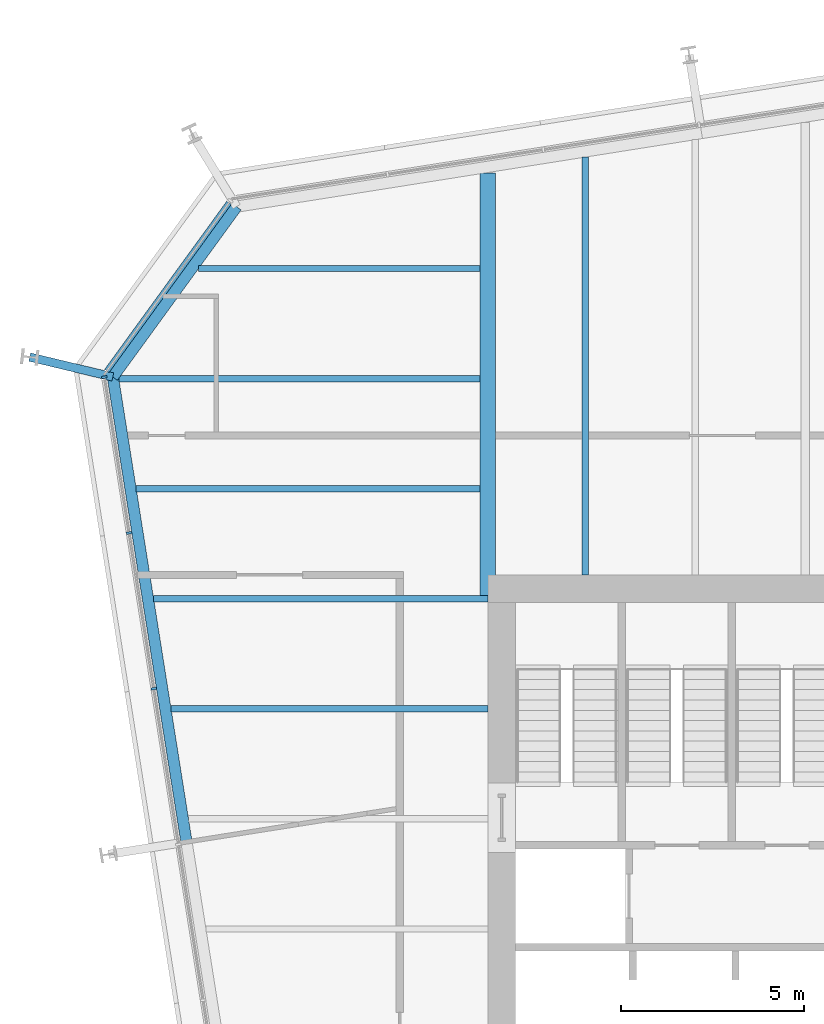
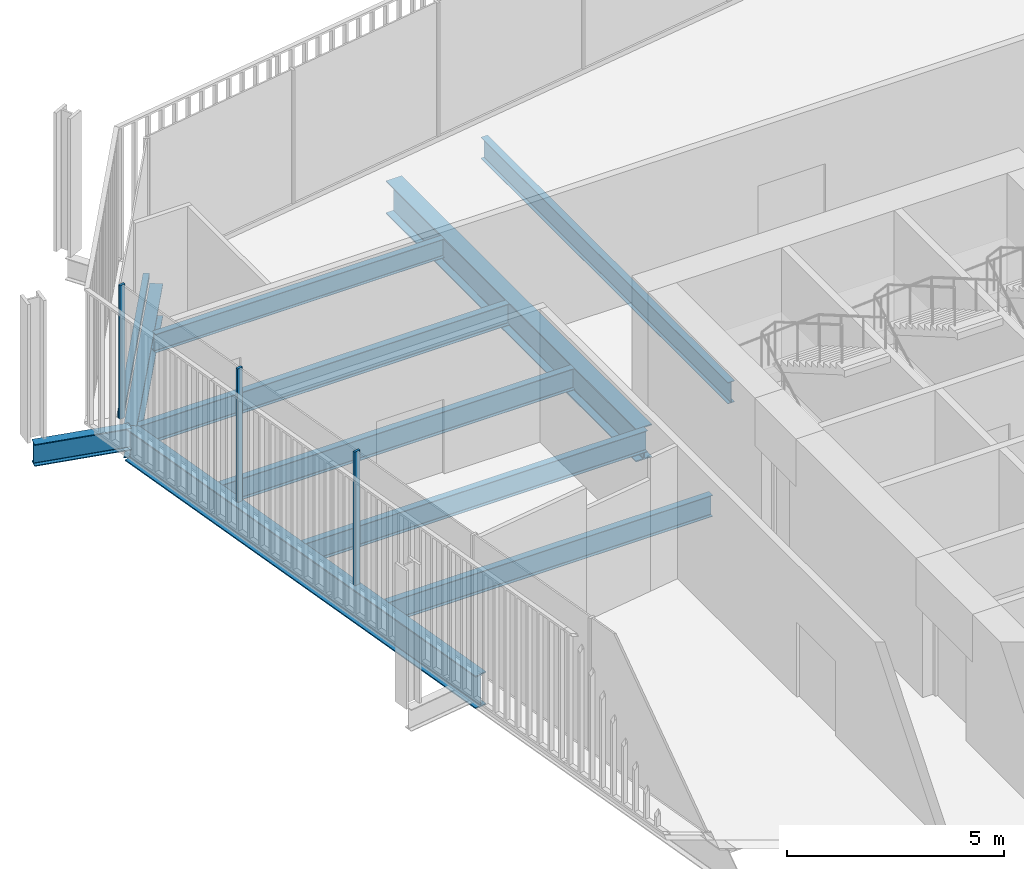
# One storey, part 10 of 21: 10 beams, 4 members, 2 elements without a shape of their own.
"""IFC4 building model written with IfcOpenShell, lengths in metres."""

from ifc_helpers import new_model, si_unit, direction, frame, origin, origin_2d, place, context, subcontext, project, spatial, rectangle, i_section, extrude, material, layer, layer_set, material_profile, profile_set, type_object, element, aggregate, save


model = new_model("IFC4")

# Units and contexts
model_context = context("Model", 3, precision=1e-05, world=origin(), true_north=direction((0.0, 1.0)))
body_context = subcontext(model_context, "Body", "Model", "MODEL_VIEW")
ifc_project = project(units=[si_unit("LENGTHUNIT", "METRE"), si_unit("AREAUNIT", "SQUARE_METRE"), si_unit("VOLUMEUNIT", "CUBIC_METRE"), si_unit("PLANEANGLEUNIT", "RADIAN"), si_unit("MASSUNIT", "GRAM", prefix="KILO")], contexts=[model_context])

# Site, building, storey
site_placement = place(None, origin())
site = spatial("IfcSite", under=ifc_project, at=site_placement, CompositionType="ELEMENT")
building_placement = place(site_placement, origin())
building = spatial("IfcBuilding", under=site, at=building_placement, Name="Millrace Tower", CompositionType="ELEMENT")
storey_placement = place(building_placement, frame((0.0, 0.0, 149.0)))
storey = spatial("IfcBuildingStorey", under=building, at=storey_placement, Name="L33", CompositionType="ELEMENT", Elevation=149.0)

# Curtain wall, members
ifc_material_1 = material(Name="Aluminium and glass", Category="aluminium")
ifc_layer = layer(ifc_material_1, 0.14990234375)
ifc_layer_set = layer_set([ifc_layer], Name="Aluminium and glass")
curtain_wall_type = type_object("IfcCurtainWallType", Name="CW-1 office vision curtain wall", PredefinedType="NOTDEFINED", material=ifc_layer_set)
placement = place(storey_placement, origin())
curtain_wall_1 = element("IfcCurtainWall", 1, at=placement, inside=storey, type_object=curtain_wall_type, Name="Curtain wall C-F08 L33", PredefinedType="NOTDEFINED")
ifc_material_2 = material(Name="Aluminium", Category="aluminium")
ifc_material_profile_1 = material_profile(ifc_material_2, rectangle(XDim=0.06494140625, YDim=0.14990234375, at=origin_2d()))
ifc_profile_set_1 = profile_set([ifc_material_profile_1], Name="Aluminium")
member_type_1 = type_object("IfcMemberType", Name="CW-1 office vision curtain wall mullion", PredefinedType="MULLION", material=ifc_profile_set_1)
member_1_placement = place(storey_placement, frame((-25.106689453125, 15.041748046875, 0.139892578125), z_axis=(0.0, 0.0, 1.0), x_axis=(0.15643447328, -0.98768833929, 0.0)))
member_1 = element("IfcMember", 2, at=member_1_placement, type_object=member_type_1, Name="CW1 mullion C-F08.1", PredefinedType="MULLION", context=body_context, shape_type="SweptSolid", body=[
    extrude(rectangle(XDim=0.06494140625, YDim=0.14990234375, at=origin_2d()), origin(), (0.0, 0.0, 1.0), 3.760009765625),
])
member_2_placement = place(storey_placement, frame((-24.43408203125, 10.794677734375, 0.139892578125), z_axis=(0.0, 0.0, 1.0), x_axis=(0.15643447328, -0.98768833929, 0.0)))
member_2 = element("IfcMember", 3, at=member_2_placement, type_object=member_type_1, Name="CW1 mullion C-F08.2", PredefinedType="MULLION", context=body_context, shape_type="SweptSolid", body=[
    extrude(rectangle(XDim=0.06494140625, YDim=0.14990234375, at=origin_2d()), origin(), (0.0, 0.0, 1.0), 3.760009765625),
])
member_3_placement = place(storey_placement, frame((-23.76123046875, 6.547607421875, 0.139892578125), z_axis=(0.0, 0.0, 1.0), x_axis=(0.15643447328, -0.98768833929, 0.0)))
member_3 = element("IfcMember", 4, at=member_3_placement, type_object=member_type_1, Name="CW1 mullion C-F08.3", PredefinedType="MULLION", context=body_context, shape_type="SweptSolid", body=[
    extrude(rectangle(XDim=0.06494140625, YDim=0.14990234375, at=origin_2d()), origin(), (0.0, 0.0, 1.0), 3.760009765625),
])
aggregate(curtain_wall_1, [member_1, member_2, member_3])

# Curtain wall, member
curtain_wall_2 = element("IfcCurtainWall", 5, at=placement, inside=storey, type_object=curtain_wall_type, Name="Curtain wall C-F07 L33", PredefinedType="NOTDEFINED")
ifc_material_3 = material(Name="Aluminium", Category="aluminium")
ifc_material_profile_2 = material_profile(ifc_material_3, rectangle(XDim=0.14990234375, YDim=0.139892578125, at=origin_2d()))
ifc_profile_set_2 = profile_set([ifc_material_profile_2], Name="Aluminium")
member_type_2 = type_object("IfcMemberType", Name="CW-1 office vision curtain wall transom", PredefinedType="USERDEFINED", material=ifc_profile_set_2)
member_4_placement = place(storey_placement, frame((-21.70751953125, 19.796875, 0.070068359375), z_axis=(-0.587761915215, -0.80903394924, 0.0), x_axis=(0.80903394924, -0.587761915215, 0.0)))
member_4 = element("IfcMember", 6, at=member_4_placement, type_object=member_type_2, Name="CW1 transom C-F07.1", ObjectType="TRANSOM", PredefinedType="USERDEFINED", context=body_context, shape_type="SweptSolid", body=[
    extrude(rectangle(XDim=0.14990234375, YDim=0.139892578125, at=origin_2d()), origin(), (0.0, 0.0, 1.0), 5.6689453125),
])
aggregate(curtain_wall_2, [member_4])

# Beams
ifc_material_4 = material(Name="Steel ASTM A992 Grade 50", Category="steel")
ifc_material_profile_3 = material_profile(ifc_material_4, i_section(OverallWidth=0.1650390625, OverallDepth=0.52587890625, WebThickness=0.0087890625, FlangeThickness=0.011474609375, FilletRadius=0.0126953125, at=origin_2d()))
ifc_profile_set_3 = profile_set([ifc_material_profile_3], Name="Steel ASTM A992 Grade 50")
beam_type_1 = type_object("IfcBeamType", Name="Floor beam W21x44", PredefinedType="JOIST", material=ifc_profile_set_3)
beam_1_placement = place(storey_placement, frame((-22.540283203125, 18.0, -0.4228515625), z_axis=(1.0, 0.0, 0.0), x_axis=(0.0, 1.0, 0.0)))
element("IfcBeam", 7, at=beam_1_placement, inside=storey, type_object=beam_type_1, Name="BM-C-L33-S1-S035", PredefinedType="JOIST", context=body_context, shape_type="SweptSolid", body=[
    extrude(i_section(OverallWidth=0.1650390625, OverallDepth=0.52587890625, WebThickness=0.0087890625, FlangeThickness=0.011474609375, FilletRadius=0.0126953125, at=origin_2d()), origin(), (0.0, 0.0, 1.0), 7.6806640625),
])
ifc_material_5 = material(Name="Steel ASTM A992 Grade 50", Category="steel")
ifc_material_profile_4 = material_profile(ifc_material_5, i_section(OverallWidth=0.177978515625, OverallDepth=0.599365234375, WebThickness=0.010009765625, FlangeThickness=0.012939453125, FilletRadius=0.012939453125, at=origin_2d()))
ifc_profile_set_4 = profile_set([ifc_material_profile_4], Name="Steel ASTM A992 Grade 50")
beam_type_2 = type_object("IfcBeamType", Name="Floor beam W24x55", PredefinedType="JOIST", material=ifc_profile_set_4)
beam_2_placement = place(storey_placement, frame((-23.28759765625, 6.0, -0.459716796875), z_axis=(1.0, 0.0, 0.0), x_axis=(0.0, 1.0, 0.0)))
element("IfcBeam", 8, at=beam_2_placement, inside=storey, type_object=beam_type_2, Name="BM-C-L33-S1-S026", PredefinedType="JOIST", context=body_context, shape_type="SweptSolid", body=[
    extrude(i_section(OverallWidth=0.177978515625, OverallDepth=0.599365234375, WebThickness=0.010009765625, FlangeThickness=0.012939453125, FilletRadius=0.012939453125, at=origin_2d()), origin(), (0.0, 0.0, 1.0), 8.6376953125),
])
beam_3_placement = place(storey_placement, frame((-23.7626953125, 9.0, -0.459716796875), z_axis=(1.0, 0.0, 0.0), x_axis=(0.0, 1.0, 0.0)))
element("IfcBeam", 9, at=beam_3_placement, inside=storey, type_object=beam_type_2, Name="BM-C-L33-S1-S029", PredefinedType="JOIST", context=body_context, shape_type="SweptSolid", body=[
    extrude(i_section(OverallWidth=0.177978515625, OverallDepth=0.599365234375, WebThickness=0.010009765625, FlangeThickness=0.012939453125, FilletRadius=0.012939453125, at=origin_2d()), origin(), (0.0, 0.0, 1.0), 9.11279296875),
])
beam_4_placement = place(storey_placement, frame((-24.23779296875, 12.0, -0.459716796875), z_axis=(1.0, 0.0, 0.0), x_axis=(0.0, 1.0, 0.0)))
element("IfcBeam", 10, at=beam_4_placement, inside=storey, type_object=beam_type_2, Name="BM-C-L33-S1-S031", PredefinedType="JOIST", context=body_context, shape_type="SweptSolid", body=[
    extrude(i_section(OverallWidth=0.177978515625, OverallDepth=0.599365234375, WebThickness=0.010009765625, FlangeThickness=0.012939453125, FilletRadius=0.012939453125, at=origin_2d()), origin(), (0.0, 0.0, 1.0), 9.378173828125),
])
beam_5_placement = place(storey_placement, frame((-24.712890625, 15.0, -0.459716796875), z_axis=(1.0, 0.0, 0.0), x_axis=(0.0, 1.0, 0.0)))
element("IfcBeam", 11, at=beam_5_placement, inside=storey, type_object=beam_type_2, Name="BM-C-L33-S1-S033", PredefinedType="JOIST", context=body_context, shape_type="SweptSolid", body=[
    extrude(i_section(OverallWidth=0.177978515625, OverallDepth=0.599365234375, WebThickness=0.010009765625, FlangeThickness=0.012939453125, FilletRadius=0.012939453125, at=origin_2d()), origin(), (0.0, 0.0, 1.0), 9.853271484375),
])
ifc_material_6 = material(Name="Steel ASTM A992 Grade 50", Category="steel")
ifc_material_profile_5 = material_profile(ifc_material_6, i_section(OverallWidth=0.1787109375, OverallDepth=0.60205078125, WebThickness=0.010986328125, FlangeThickness=0.014892578125, FilletRadius=0.0126953125, at=origin_2d()))
ifc_profile_set_5 = profile_set([ifc_material_profile_5], Name="Steel ASTM A992 Grade 50")
beam_type_3 = type_object("IfcBeamType", Name="Floor beam W24x62", PredefinedType="JOIST", material=ifc_profile_set_5)
beam_6_placement = place(storey_placement, frame((-12.0, 9.64990234375, -0.4609375), z_axis=(0.0, 1.0, 0.0), x_axis=(-1.0, 0.0, 0.0)))
element("IfcBeam", 12, at=beam_6_placement, inside=storey, type_object=beam_type_3, Name="BM-C-L33-S1-S039", PredefinedType="JOIST", context=body_context, shape_type="SweptSolid", body=[
    extrude(i_section(OverallWidth=0.1787109375, OverallDepth=0.60205078125, WebThickness=0.010986328125, FlangeThickness=0.014892578125, FilletRadius=0.0126953125, at=origin_2d()), origin(), (0.0, 0.0, 1.0), 11.39111328125),
])
ifc_material_7 = material(Name="Steel ASTM A992 Grade 50", Category="steel")
ifc_material_profile_6 = material_profile(ifc_material_7, i_section(OverallWidth=0.419189453125, OverallDepth=0.927001953125, WebThickness=0.019287109375, FlangeThickness=0.031982421875, FilletRadius=0.024169921875, at=origin_2d()))
ifc_profile_set_6 = profile_set([ifc_material_profile_6], Name="Steel ASTM A992 Grade 50")
beam_type_4 = type_object("IfcBeamType", Name="Girder short span W36x231", PredefinedType="BEAM", material=ifc_profile_set_6)
beam_7_placement = place(storey_placement, frame((-14.64990234375, 9.090087890625, -0.62353515625), z_axis=(0.0, 1.0, 0.0), x_axis=(-1.0, 0.0, 0.0)))
element("IfcBeam", 13, at=beam_7_placement, inside=storey, type_object=beam_type_4, Name="BM-C-L33-S1-G057", PredefinedType="BEAM", context=body_context, shape_type="SweptSolid", body=[
    extrude(i_section(OverallWidth=0.419189453125, OverallDepth=0.927001953125, WebThickness=0.019287109375, FlangeThickness=0.031982421875, FilletRadius=0.024169921875, at=origin_2d()), origin(), (0.0, 0.0, 1.0), 11.523193359375),
])
ifc_material_8 = material(Name="Steel ASTM A992 Grade 50", Category="steel")
ifc_material_profile_7 = material_profile(ifc_material_8, i_section(OverallWidth=0.23046875, OverallDepth=0.6171875, WebThickness=0.01318359375, FlangeThickness=0.022216796875, FilletRadius=0.012939453125, at=origin_2d()))
ifc_profile_set_7 = profile_set([ifc_material_profile_7], Name="Steel ASTM A992 Grade 50")
beam_type_5 = type_object("IfcBeamType", Name="Link beam W24x94", PredefinedType="BEAM", material=ifc_profile_set_7)
beam_8_placement = place(storey_placement, frame((-24.8759765625, 15.046630859375, -0.468505859375), z_axis=(-0.972367333652, 0.233456138164, 0.0), x_axis=(-0.233456138164, -0.972367333652, 0.0)))
element("IfcBeam", 14, at=beam_8_placement, inside=storey, type_object=beam_type_5, Name="LNK-C-L33-S1-04", PredefinedType="BEAM", context=body_context, shape_type="SweptSolid", body=[
    extrude(i_section(OverallWidth=0.23046875, OverallDepth=0.6171875, WebThickness=0.01318359375, FlangeThickness=0.022216796875, FilletRadius=0.012939453125, at=origin_2d()), origin(), (0.0, 0.0, 1.0), 2.3310546875),
])
ifc_material_9 = material(Name="Steel ASTM A992 Grade 50", Category="steel")
ifc_material_profile_8 = material_profile(ifc_material_9, i_section(OverallWidth=0.307373046875, OverallDepth=0.927001953125, WebThickness=0.01953125, FlangeThickness=0.031982421875, FilletRadius=0.01904296875, at=origin_2d()))
ifc_profile_set_8 = profile_set([ifc_material_profile_8], Name="Steel ASTM A992 Grade 50")
beam_type_6 = type_object("IfcBeamType", Name="Ring beam medium span W36x194", PredefinedType="SPANDREL", material=ifc_profile_set_8)
beam_9_placement = place(storey_placement, frame((-22.867919921875, 2.368408203125, -0.62353515625), z_axis=(-0.156436246498, 0.987688058438, 0.0), x_axis=(-0.987688058438, -0.156436246498, 0.0)))
element("IfcBeam", 15, at=beam_9_placement, inside=storey, type_object=beam_type_6, Name="RNG-C-L33-S1-03", PredefinedType="SPANDREL", context=body_context, shape_type="SweptSolid", body=[
    extrude(i_section(OverallWidth=0.307373046875, OverallDepth=0.927001953125, WebThickness=0.01953125, FlangeThickness=0.031982421875, FilletRadius=0.01904296875, at=origin_2d()), origin(), (0.0, 0.0, 1.0), 12.836181640625),
])
ifc_material_10 = material(Name="Steel ASTM A992 Grade 50", Category="steel")
ifc_material_profile_9 = material_profile(ifc_material_10, i_section(OverallWidth=0.307373046875, OverallDepth=0.927001953125, WebThickness=0.01953125, FlangeThickness=0.031982421875, FilletRadius=0.01904296875, at=origin_2d()))
ifc_profile_set_9 = profile_set([ifc_material_profile_9], Name="Steel ASTM A992 Grade 50")
beam_type_7 = type_object("IfcBeamType", Name="Ring beam short span W36x194", PredefinedType="SPANDREL", material=ifc_profile_set_9)
beam_10_placement = place(storey_placement, frame((-24.8759765625, 15.046630859375, -0.62353515625), z_axis=(0.587787348381, 0.809015471473, 0.0), x_axis=(-0.809015471473, 0.587787348381, 0.0)))
element("IfcBeam", 16, at=beam_10_placement, inside=storey, type_object=beam_type_7, Name="RNG-C-L33-S1-04", PredefinedType="SPANDREL", context=body_context, shape_type="SweptSolid", body=[
    extrude(i_section(OverallWidth=0.307373046875, OverallDepth=0.927001953125, WebThickness=0.01953125, FlangeThickness=0.031982421875, FilletRadius=0.01904296875, at=origin_2d()), origin(), (0.0, 0.0, 1.0), 5.741943359375),
])

save(model, "model.ifc")
